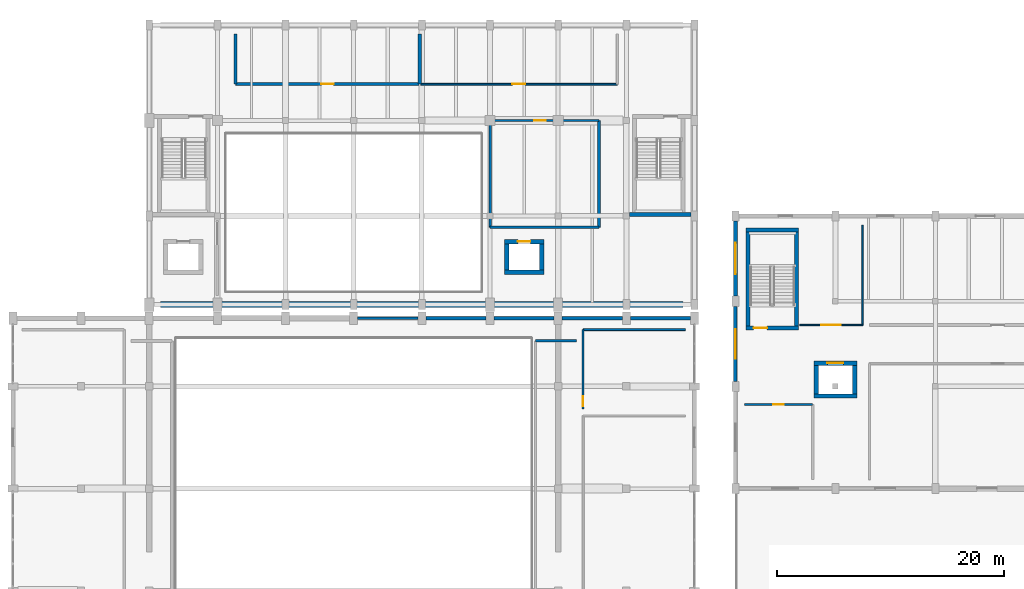
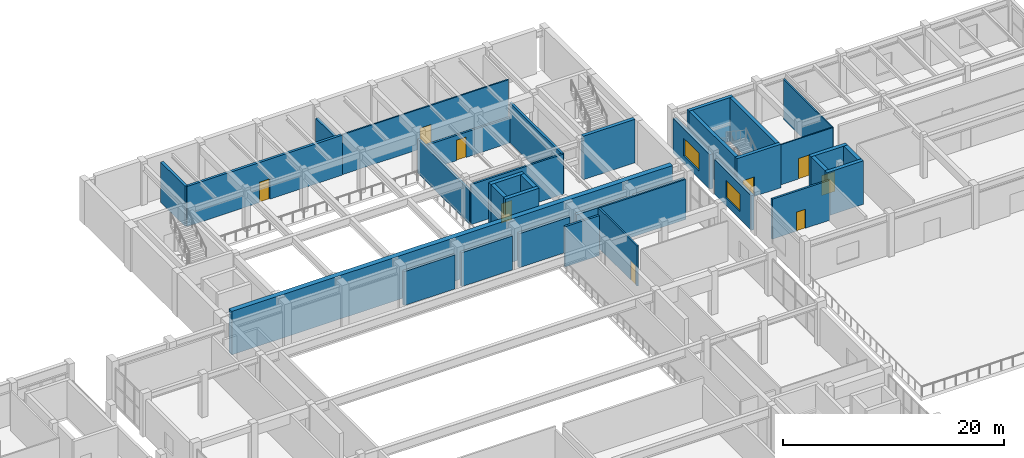
# One storey, part 44 of 62: 35 walls, 9 doors, 2 windows, 11 openings.
"""IFC4 building model written with IfcOpenShell, lengths in metres."""

from ifc_helpers import new_model, si_unit, direction, frame, frame_2d, origin, place, context, subcontext, project, spatial, rectangle, extrude, material, layer, layer_set, type_object, element, fill, save


model = new_model("IFC4")

# Units and contexts
model_context = context("Model", 3, precision=1e-05, world=origin(), true_north=direction((0.0, 1.0)))
body_context = subcontext(model_context, "Body", "Model", "MODEL_VIEW")
ifc_project = project(units=[si_unit("LENGTHUNIT", "METRE"), si_unit("AREAUNIT", "SQUARE_METRE"), si_unit("VOLUMEUNIT", "CUBIC_METRE"), si_unit("PLANEANGLEUNIT", "RADIAN"), si_unit("MASSUNIT", "GRAM", prefix="KILO")], contexts=[model_context])

# Site, building, storey
site_placement = place(None, origin())
site = spatial("IfcSite", under=ifc_project, at=site_placement, CompositionType="ELEMENT")
building_placement = place(site_placement, origin())
building = spatial("IfcBuilding", under=site, at=building_placement, Name="Vaelkrest Opera House", CompositionType="ELEMENT")
storey_placement = place(building_placement, frame((0.0, 0.0, 19.800048828125)))
storey = spatial("IfcBuildingStorey", under=building, at=storey_placement, Name="L04", CompositionType="ELEMENT", Elevation=19.800048828125)

# Walls
ifc_material_1 = material(Name="Douglas fir glulam GL28h", Category="wood")
ifc_layer_1 = layer(ifc_material_1, 0.2548828125)
ifc_layer_set_1 = layer_set([ifc_layer_1], Name="Douglas fir glulam GL28h")
wall_type_1 = type_object("IfcWallType", Name="EW01", PredefinedType="STANDARD", material=ifc_layer_set_1)
wall_1_placement = place(storey_placement, frame((0.347900390625, 16.199951171875, 0.0), z_axis=(0.0, 0.0, 1.0), x_axis=(1.0, 0.0, 0.0)))
element("IfcWall", 1, at=wall_1_placement, inside=storey, type_object=wall_type_1, Name="Exterior facade wall EW-V1-L04-0111", PredefinedType="STANDARD", context=body_context, shape_type="SweptSolid", body=[
    extrude(rectangle(XDim=5.30419921875, YDim=0.2548828125, at=frame_2d((2.652099609375, 0.0))), origin(), (0.0, 0.0, 1.0), 3.744873046875),
])
ifc_layer_2 = layer(ifc_material_1, 0.27490234375)
ifc_layer_set_2 = layer_set([ifc_layer_2], Name="Douglas fir glulam GL28h")
wall_type_2 = type_object("IfcWallType", Name="EW02", PredefinedType="STANDARD", material=ifc_layer_set_2)
wall_2_placement = place(storey_placement, frame((6.347900390625, 16.199951171875, 0.0), z_axis=(0.0, 0.0, 1.0), x_axis=(1.0, 0.0, 0.0)))
element("IfcWall", 2, at=wall_2_placement, inside=storey, type_object=wall_type_2, Name="Exterior facade wall EW-V1-L04-0112", PredefinedType="STANDARD", context=body_context, shape_type="SweptSolid", body=[
    extrude(rectangle(XDim=5.30419921875, YDim=0.27490234375, at=frame_2d((2.652099609375, 0.0))), origin(), (0.0, 0.0, 1.0), 3.744873046875),
])
ifc_layer_3 = layer(ifc_material_1, 0.294921875)
ifc_layer_set_3 = layer_set([ifc_layer_3], Name="Douglas fir glulam GL28h")
wall_type_3 = type_object("IfcWallType", Name="EW03", PredefinedType="STANDARD", material=ifc_layer_set_3)
wall_3_placement = place(storey_placement, frame((12.347900390625, 16.199951171875, 0.0), z_axis=(0.0, 0.0, 1.0), x_axis=(1.0, 0.0, 0.0)))
element("IfcWall", 3, at=wall_3_placement, inside=storey, type_object=wall_type_3, Name="Exterior facade wall EW-V1-L04-0113", PredefinedType="STANDARD", context=body_context, shape_type="SweptSolid", body=[
    extrude(rectangle(XDim=5.30419921875, YDim=0.294921875, at=frame_2d((2.652099609375, 0.0))), origin(), (0.0, 0.0, 1.0), 3.744873046875),
])
ifc_material_2 = material(Name="American black walnut acoustic timber", Category="wood")
ifc_layer_4 = layer(ifc_material_2, 0.31494140625)
ifc_layer_set_4 = layer_set([ifc_layer_4], Name="American black walnut acoustic timber")
wall_type_4 = type_object("IfcWallType", Name="EW04", PredefinedType="STANDARD", material=ifc_layer_set_4)
wall_4_placement = place(storey_placement, frame((18.347900390625, 16.199951171875, 0.0), z_axis=(0.0, 0.0, 1.0), x_axis=(1.0, 0.0, 0.0)))
element("IfcWall", 4, at=wall_4_placement, inside=storey, type_object=wall_type_4, Name="Exterior facade wall EW-V1-L04-0114", PredefinedType="STANDARD", context=body_context, shape_type="SweptSolid", body=[
    extrude(rectangle(XDim=5.30419921875, YDim=0.31494140625, at=frame_2d((2.652099609375, 0.0))), origin(), (0.0, 0.0, 1.0), 3.744873046875),
])

# Wall, opening, window
wall_5_placement = place(storey_placement, frame((33.60009765625, 10.64794921875, 0.0), z_axis=(0.0, 0.0, 1.0), x_axis=(0.0, 1.0, 0.0)))
wall_5 = element("IfcWall", 5, at=wall_5_placement, inside=storey, type_object=wall_type_4, Name="Exterior facade wall EW-V4-L04-0284", PredefinedType="STANDARD", context=body_context, shape_type="SweptSolid", body=[
    extrude(rectangle(XDim=6.60400390625, YDim=0.31494140625, at=frame_2d((3.302001953125, 0.0))), origin(), (0.0, 0.0, 1.0), 3.828857421875),
])
opening_1_placement = place(wall_5_placement, frame((2.001953125, 0.0, 0.85009765625)))
opening_1 = element("IfcOpeningElement", 6, at=opening_1_placement, cuts=wall_5, Name="Opening WN167", PredefinedType="OPENING", context=body_context, shape_type="SweptSolid", body=[
    extrude(rectangle(XDim=2.60009765625, YDim=1.949951171875, at=frame_2d((1.300048828125, 0.97509765625))), frame((0.0, 0.16748046875, 0.0), z_axis=(0.0, -1.0, 0.0), x_axis=(1.0, 0.0, 0.0)), (0.0, 0.0, 1.0), 0.3349609375),
])
ifc_material_3 = material(Name="Double low-E insulated glazing", Category="glass")
window_type_1 = type_object("IfcWindowType", Name="WT11", PartitioningType="SINGLE_PANEL", PredefinedType="WINDOW", material=ifc_material_3)
window_1_placement = place(opening_1_placement, origin())
window_1 = element("IfcWindow", 7, at=window_1_placement, inside=storey, type_object=window_type_1, Name="Facade window WN167", OverallHeight=1.949951171875, OverallWidth=2.60009765625, PartitioningType="SINGLE_PANEL", PredefinedType="WINDOW", context=body_context, shape_type="SweptSolid", body=[
    extrude(rectangle(XDim=2.60009765625, YDim=1.949951171875, at=frame_2d((1.300048828125, 0.97509765625))), frame((0.0, 0.030029296875, 0.0), z_axis=(0.0, -1.0, 0.0), x_axis=(1.0, 0.0, 0.0)), (0.0, 0.0, 1.0), 0.06005859375),
])
fill(opening_1, window_1)

# Wall
ifc_layer_5 = layer(ifc_material_2, 0.3349609375)
ifc_layer_set_5 = layer_set([ifc_layer_5], Name="American black walnut acoustic timber")
wall_type_5 = type_object("IfcWallType", Name="EW05", PredefinedType="STANDARD", material=ifc_layer_set_5)
wall_6_placement = place(storey_placement, frame((24.347900390625, 16.199951171875, 0.0), z_axis=(0.0, 0.0, 1.0), x_axis=(1.0, 0.0, 0.0)))
element("IfcWall", 8, at=wall_6_placement, inside=storey, type_object=wall_type_5, Name="Exterior facade wall EW-V1-L04-0115", PredefinedType="STANDARD", context=body_context, shape_type="SweptSolid", body=[
    extrude(rectangle(XDim=5.30419921875, YDim=0.3349609375, at=frame_2d((2.652099609375, 0.0))), origin(), (0.0, 0.0, 1.0), 3.744873046875),
])

# Wall, opening, window
wall_7_placement = place(storey_placement, frame((33.60009765625, 18.14794921875, 0.0), z_axis=(0.0, 0.0, 1.0), x_axis=(0.0, 1.0, 0.0)))
wall_7 = element("IfcWall", 9, at=wall_7_placement, inside=storey, type_object=wall_type_5, Name="Exterior facade wall EW-V4-L04-0285", PredefinedType="STANDARD", context=body_context, shape_type="SweptSolid", body=[
    extrude(rectangle(XDim=6.60400390625, YDim=0.3349609375, at=frame_2d((3.302001953125, 0.0))), origin(), (0.0, 0.0, 1.0), 3.828857421875),
])
opening_2_placement = place(wall_7_placement, frame((1.927001953125, 0.0, 0.85009765625)))
opening_2 = element("IfcOpeningElement", 10, at=opening_2_placement, cuts=wall_7, Name="Opening WN168", PredefinedType="OPENING", context=body_context, shape_type="SweptSolid", body=[
    extrude(rectangle(XDim=2.75, YDim=1.949951171875, at=frame_2d((1.375, 0.97509765625))), frame((0.0, 0.177490234375, 0.0), z_axis=(0.0, -1.0, 0.0), x_axis=(1.0, 0.0, 0.0)), (0.0, 0.0, 1.0), 0.35498046875),
])
window_type_2 = type_object("IfcWindowType", Name="WT12", PartitioningType="SINGLE_PANEL", PredefinedType="WINDOW", material=ifc_material_3)
window_2_placement = place(opening_2_placement, origin())
window_2 = element("IfcWindow", 11, at=window_2_placement, inside=storey, type_object=window_type_2, Name="Facade window WN168", OverallHeight=1.949951171875, OverallWidth=2.75, PartitioningType="SINGLE_PANEL", PredefinedType="WINDOW", context=body_context, shape_type="SweptSolid", body=[
    extrude(rectangle(XDim=2.75, YDim=1.949951171875, at=frame_2d((1.375, 0.97509765625))), frame((0.0, 0.030029296875, 0.0), z_axis=(0.0, -1.0, 0.0), x_axis=(1.0, 0.0, 0.0)), (0.0, 0.0, 1.0), 0.06005859375),
])
fill(opening_2, window_2)

# Wall, opening, door
ifc_material_4 = material(Name="Gypsum acoustic board", Category="gypsum")
ifc_layer_6 = layer(ifc_material_4, 0.1201171875)
ifc_layer_set_6 = layer_set([ifc_layer_6], Name="Gypsum acoustic board")
wall_type_6 = type_object("IfcWallType", Name="PT01", PredefinedType="PARTITIONING", material=ifc_layer_set_6)
wall_8_placement = place(storey_placement, frame((39.25, 15.60009765625, 0.0), z_axis=(0.0, 0.0, 1.0), x_axis=(1.0, 0.0, 0.0)))
wall_8 = element("IfcWall", 12, at=wall_8_placement, inside=storey, type_object=wall_type_6, Name="Interior partition PT-V4-L04-0393", PredefinedType="PARTITIONING", context=body_context, shape_type="SweptSolid", body=[
    extrude(rectangle(XDim=5.550048828125, YDim=0.1201171875, at=frame_2d((2.77490234375, 0.0))), origin(), (0.0, 0.0, 1.0), 4.419921875),
])
opening_3_placement = place(wall_8_placement, frame((1.925048828125, 0.0, 0.0)))
opening_3 = element("IfcOpeningElement", 13, at=opening_3_placement, cuts=wall_8, Name="Opening D162", PredefinedType="OPENING", context=body_context, shape_type="SweptSolid", body=[
    extrude(rectangle(XDim=1.699951171875, YDim=2.25, at=frame_2d((0.85009765625, 1.125))), frame((0.0, 0.070068359375, 0.0), z_axis=(0.0, -1.0, 0.0), x_axis=(1.0, 0.0, 0.0)), (0.0, 0.0, 1.0), 0.14013671875),
])
door_type_1 = type_object("IfcDoorType", Name="DT14", OperationType="DOUBLE_DOOR_SINGLE_SWING", PredefinedType="DOOR", material=ifc_material_2)
door_1_placement = place(opening_3_placement, origin())
door_1 = element("IfcDoor", 14, at=door_1_placement, inside=storey, type_object=door_type_1, Name="Interior door D162 (Costume Workshop)", OperationType="DOUBLE_DOOR_SINGLE_SWING", OverallHeight=2.25, OverallWidth=1.699951171875, PredefinedType="DOOR", context=body_context, shape_type="SweptSolid", body=[
    extrude(rectangle(XDim=1.699951171875, YDim=2.25, at=frame_2d((0.85009765625, 1.125))), frame((0.0, 0.02490234375, 0.0), z_axis=(0.0, -1.0, 0.0), x_axis=(1.0, 0.0, 0.0)), (0.0, 0.0, 1.0), 0.050048828125),
])
fill(opening_3, door_1)

# Walls
ifc_layer_7 = layer(ifc_material_4, 0.135009765625)
ifc_layer_set_7 = layer_set([ifc_layer_7], Name="Gypsum acoustic board")
wall_type_7 = type_object("IfcWallType", Name="PT02", PredefinedType="PARTITIONING", material=ifc_layer_set_7)
wall_9_placement = place(storey_placement, frame((44.800048828125, 15.60009765625, 0.0), z_axis=(0.0, 0.0, 1.0), x_axis=(0.0, 1.0, 0.0)))
element("IfcWall", 15, at=wall_9_placement, inside=storey, type_object=wall_type_7, Name="Interior partition PT-V4-L04-0394", PredefinedType="PARTITIONING", context=body_context, shape_type="SweptSolid", body=[
    extrude(rectangle(XDim=8.7998046875, YDim=0.135009765625, at=frame_2d((4.39990234375, 0.0))), origin(), (0.0, 0.0, 1.0), 4.419921875),
])
ifc_layer_8 = layer(ifc_material_4, 0.1650390625)
ifc_layer_set_8 = layer_set([ifc_layer_8], Name="Gypsum acoustic board")
wall_type_8 = type_object("IfcWallType", Name="PT04", PredefinedType="PARTITIONING", material=ifc_layer_set_8)
wall_10_placement = place(storey_placement, frame((20.199951171875, 15.199951171875, 0.0), z_axis=(0.0, 0.0, 1.0), x_axis=(1.0, 0.0, 0.0)))
element("IfcWall", 16, at=wall_10_placement, inside=storey, type_object=wall_type_8, Name="Interior partition PT-V1-L04-0116", PredefinedType="PARTITIONING", context=body_context, shape_type="SweptSolid", body=[
    extrude(rectangle(XDim=9.0, YDim=0.1650390625, at=frame_2d((4.5, 0.0))), origin(), (0.0, 0.0, 1.0), 4.419921875),
])

# Wall, opening, door
ifc_layer_9 = layer(ifc_material_4, 0.179931640625)
ifc_layer_set_9 = layer_set([ifc_layer_9], Name="Gypsum acoustic board")
wall_type_9 = type_object("IfcWallType", Name="PT05", PredefinedType="PARTITIONING", material=ifc_layer_set_9)
wall_11_placement = place(storey_placement, frame((20.199951171875, 8.199951171875, 0.0), z_axis=(0.0, 0.0, 1.0), x_axis=(0.0, 1.0, 0.0)))
wall_11 = element("IfcWall", 17, at=wall_11_placement, inside=storey, type_object=wall_type_9, Name="Interior partition PT-V1-L04-0117", PredefinedType="PARTITIONING", context=body_context, shape_type="SweptSolid", body=[
    extrude(rectangle(XDim=7.0, YDim=0.179931640625, at=frame_2d((3.5, 0.0))), origin(), (0.0, 0.0, 1.0), 4.419921875),
])
opening_4_placement = place(wall_11_placement, frame((0.25, 0.0, 0.0)))
opening_4 = element("IfcOpeningElement", 18, at=opening_4_placement, cuts=wall_11, Name="Opening D045", PredefinedType="OPENING", context=body_context, shape_type="SweptSolid", body=[
    extrude(rectangle(XDim=0.89990234375, YDim=2.10009765625, at=frame_2d((0.449951171875, 1.050048828125))), frame((0.0, 0.099853515625, 0.0), z_axis=(0.0, -1.0, 0.0), x_axis=(1.0, 0.0, 0.0)), (0.0, 0.0, 1.0), 0.199951171875),
])
door_type_2 = type_object("IfcDoorType", Name="DT01", OperationType="NOTDEFINED", PredefinedType="DOOR", material=ifc_material_2)
door_2_placement = place(opening_4_placement, origin())
door_2 = element("IfcDoor", 19, at=door_2_placement, inside=storey, type_object=door_type_2, Name="Interior door D045 (Accessible Washroom)", OperationType="SINGLE_SWING_RIGHT", OverallHeight=2.10009765625, OverallWidth=0.89990234375, PredefinedType="DOOR", context=body_context, shape_type="SweptSolid", body=[
    extrude(rectangle(XDim=0.89990234375, YDim=2.10009765625, at=frame_2d((0.449951171875, 1.050048828125))), frame((0.0, 0.02490234375, 0.0), z_axis=(0.0, -1.0, 0.0), x_axis=(1.0, 0.0, 0.0)), (0.0, 0.0, 1.0), 0.050048828125),
])
fill(opening_4, door_2)

# Wall
ifc_layer_10 = layer(ifc_material_4, 0.195068359375)
ifc_layer_set_10 = layer_set([ifc_layer_10], Name="Gypsum acoustic board")
wall_type_10 = type_object("IfcWallType", Name="PT06", PredefinedType="PARTITIONING", material=ifc_layer_set_10)
wall_12_placement = place(storey_placement, frame((12.0, 24.199951171875, 0.0), z_axis=(0.0, 0.0, 1.0), x_axis=(1.0, 0.0, 0.0)))
element("IfcWall", 20, at=wall_12_placement, inside=storey, type_object=wall_type_10, Name="Interior partition PT-V2-L04-0216", PredefinedType="PARTITIONING", context=body_context, shape_type="SweptSolid", body=[
    extrude(rectangle(XDim=9.60009765625, YDim=0.195068359375, at=frame_2d((4.800048828125, 0.0))), origin(), (0.0, 0.0, 1.0), 4.419921875),
])

# Wall, opening, door
wall_13_placement = place(storey_placement, frame((34.39990234375, 8.60009765625, 0.0), z_axis=(0.0, 0.0, 1.0), x_axis=(1.0, 0.0, 0.0)))
wall_13 = element("IfcWall", 21, at=wall_13_placement, inside=storey, type_object=wall_type_10, Name="Interior partition PT-V4-L04-0398", PredefinedType="PARTITIONING", context=body_context, shape_type="SweptSolid", body=[
    extrude(rectangle(XDim=6.0, YDim=0.195068359375, at=frame_2d((3.0, 0.0))), origin(), (0.0, 0.0, 1.0), 4.419921875),
])
opening_5_placement = place(wall_13_placement, frame((2.550048828125, 0.0, 0.0)))
opening_5 = element("IfcOpeningElement", 22, at=opening_5_placement, cuts=wall_13, Name="Opening D165", PredefinedType="OPENING", context=body_context, shape_type="SweptSolid", body=[
    extrude(rectangle(XDim=0.89990234375, YDim=2.10009765625, at=frame_2d((0.449951171875, 1.050048828125))), frame((0.0, 0.107421875, 0.0), z_axis=(0.0, -1.0, 0.0), x_axis=(1.0, 0.0, 0.0)), (0.0, 0.0, 1.0), 0.215087890625),
])
door_3_placement = place(opening_5_placement, origin())
door_3 = element("IfcDoor", 23, at=door_3_placement, inside=storey, type_object=door_type_2, Name="Interior door D165 (Accessible Washroom)", OperationType="SINGLE_SWING_LEFT", OverallHeight=2.10009765625, OverallWidth=0.89990234375, PredefinedType="DOOR", context=body_context, shape_type="SweptSolid", body=[
    extrude(rectangle(XDim=0.89990234375, YDim=2.10009765625, at=frame_2d((0.449951171875, 1.050048828125))), frame((0.0, 0.02490234375, 0.0), z_axis=(0.0, -1.0, 0.0), x_axis=(1.0, 0.0, 0.0)), (0.0, 0.0, 1.0), 0.050048828125),
])
fill(opening_5, door_3)

ifc_layer_11 = layer(ifc_material_2, 0.2099609375)
ifc_layer_set_11 = layer_set([ifc_layer_11], Name="American black walnut acoustic timber")
wall_type_11 = type_object("IfcWallType", Name="PT07", PredefinedType="PARTITIONING", material=ifc_layer_set_11)
wall_14_placement = place(storey_placement, frame((12.0, 33.60009765625, 0.0), z_axis=(0.0, 0.0, 1.0), x_axis=(1.0, 0.0, 0.0)))
wall_14 = element("IfcWall", 24, at=wall_14_placement, inside=storey, type_object=wall_type_11, Name="Interior partition PT-V2-L04-0217", PredefinedType="PARTITIONING", context=body_context, shape_type="SweptSolid", body=[
    extrude(rectangle(XDim=9.60009765625, YDim=0.2099609375, at=frame_2d((4.800048828125, 0.0))), origin(), (0.0, 0.0, 1.0), 2.7900390625),
])
opening_6_placement = place(wall_14_placement, frame((3.89990234375, 0.0, 0.0)))
opening_6 = element("IfcOpeningElement", 25, at=opening_6_placement, cuts=wall_14, Name="Opening D084", PredefinedType="OPENING", context=body_context, shape_type="SweptSolid", body=[
    extrude(rectangle(XDim=1.0, YDim=2.25, at=frame_2d((0.5, 1.125))), frame((0.0, 0.114990234375, 0.0), z_axis=(0.0, -1.0, 0.0), x_axis=(1.0, 0.0, 0.0)), (0.0, 0.0, 1.0), 0.22998046875),
])
door_type_3 = type_object("IfcDoorType", Name="DT10", OperationType="NOTDEFINED", PredefinedType="DOOR", material=ifc_material_2)
door_4_placement = place(opening_6_placement, origin())
door_4 = element("IfcDoor", 26, at=door_4_placement, inside=storey, type_object=door_type_3, Name="Interior door D084 (Lighting Bridge)", OperationType="SINGLE_SWING_RIGHT", OverallHeight=2.25, OverallWidth=1.0, PredefinedType="DOOR", context=body_context, shape_type="SweptSolid", body=[
    extrude(rectangle(XDim=1.0, YDim=2.25, at=frame_2d((0.5, 1.125))), frame((0.0, 0.02490234375, 0.0), z_axis=(0.0, -1.0, 0.0), x_axis=(1.0, 0.0, 0.0)), (0.0, 0.0, 1.0), 0.050048828125),
])
fill(opening_6, door_4)

# Walls
ifc_layer_12 = layer(ifc_material_2, 0.22509765625)
ifc_layer_set_12 = layer_set([ifc_layer_12], Name="American black walnut acoustic timber")
wall_type_12 = type_object("IfcWallType", Name="PT08", PredefinedType="PARTITIONING", material=ifc_layer_set_12)
wall_15_placement = place(storey_placement, frame((16.0, 14.199951171875, 0.0), z_axis=(0.0, 0.0, 1.0), x_axis=(1.0, 0.0, 0.0)))
element("IfcWall", 27, at=wall_15_placement, inside=storey, type_object=wall_type_12, Name="Interior partition PT-V1-L04-0122", PredefinedType="PARTITIONING", context=body_context, shape_type="SweptSolid", body=[
    extrude(rectangle(XDim=3.60009765625, YDim=0.22509765625, at=frame_2d((1.800048828125, 0.0))), origin(), (0.0, 0.0, 1.0), 4.419921875),
])
wall_16_placement = place(storey_placement, frame((12.0, 24.199951171875, 0.0), z_axis=(0.0, 0.0, 1.0), x_axis=(0.0, 1.0, 0.0)))
element("IfcWall", 28, at=wall_16_placement, inside=storey, type_object=wall_type_12, Name="Interior partition PT-V2-L04-0218", PredefinedType="PARTITIONING", context=body_context, shape_type="SweptSolid", body=[
    extrude(rectangle(XDim=9.400146484375, YDim=0.22509765625, at=frame_2d((4.7001953125, 0.0))), origin(), (0.0, 0.0, 1.0), 3.73388671875),
])
ifc_material_5 = material(Name="Concrete C40/50", Category="concrete")
ifc_layer_13 = layer(ifc_material_5, 0.239990234375)
ifc_layer_set_13 = layer_set([ifc_layer_13], Name="Concrete C40/50")
wall_type_13 = type_object("IfcWallType", Name="PT09", PredefinedType="PARTITIONING", material=ifc_layer_set_13)
wall_17_placement = place(storey_placement, frame((21.60009765625, 24.199951171875, 0.0), z_axis=(0.0, 0.0, 1.0), x_axis=(0.0, 1.0, 0.0)))
element("IfcWall", 29, at=wall_17_placement, inside=storey, type_object=wall_type_13, Name="Interior partition PT-V2-L04-0219", PredefinedType="PARTITIONING", context=body_context, shape_type="SweptSolid", body=[
    extrude(rectangle(XDim=9.400146484375, YDim=0.239990234375, at=frame_2d((4.7001953125, 0.0))), origin(), (0.0, 0.0, 1.0), 4.419921875),
])

# Wall, opening, door
ifc_layer_14 = layer(ifc_material_5, 0.260009765625)
ifc_layer_set_14 = layer_set([ifc_layer_14], Name="Concrete C40/50")
wall_type_14 = type_object("IfcWallType", Name="PT10", PredefinedType="PARTITIONING", material=ifc_layer_set_14)
wall_18_placement = place(storey_placement, frame((-10.39990234375, 36.800048828125, 0.0), z_axis=(0.0, 0.0, 1.0), x_axis=(1.0, 0.0, 0.0)))
wall_18 = element("IfcWall", 30, at=wall_18_placement, inside=storey, type_object=wall_type_14, Name="Interior partition PT-V2-L04-0220", PredefinedType="PARTITIONING", context=body_context, shape_type="SweptSolid", body=[
    extrude(rectangle(XDim=16.199951171875, YDim=0.260009765625, at=frame_2d((8.10009765625, 0.0))), origin(), (0.0, 0.0, 1.0), 4.419921875),
])
opening_7_placement = place(wall_18_placement, frame((7.56005859375, 0.0, 0.0)))
opening_7 = element("IfcOpeningElement", 31, at=opening_7_placement, cuts=wall_18, Name="Opening D085", PredefinedType="OPENING", context=body_context, shape_type="SweptSolid", body=[
    extrude(rectangle(XDim=1.080078125, YDim=2.25, at=frame_2d((0.5400390625, 1.125))), frame((0.0, 0.139892578125, 0.0), z_axis=(0.0, -1.0, 0.0), x_axis=(1.0, 0.0, 0.0)), (0.0, 0.0, 1.0), 0.280029296875),
])
door_type_4 = type_object("IfcDoorType", Name="DT11", OperationType="NOTDEFINED", PredefinedType="DOOR", material=ifc_material_2)
door_5_placement = place(opening_7_placement, origin())
door_5 = element("IfcDoor", 32, at=door_5_placement, inside=storey, type_object=door_type_4, Name="Interior door D085 (Broadcast Suite)", OperationType="SINGLE_SWING_LEFT", OverallHeight=2.25, OverallWidth=1.080078125, PredefinedType="DOOR", context=body_context, shape_type="SweptSolid", body=[
    extrude(rectangle(XDim=1.080078125, YDim=2.25, at=frame_2d((0.5400390625, 1.125))), frame((0.0, 0.02490234375, 0.0), z_axis=(0.0, -1.0, 0.0), x_axis=(1.0, 0.0, 0.0)), (0.0, 0.0, 1.0), 0.050048828125),
])
fill(opening_7, door_5)

# Walls
ifc_layer_15 = layer(ifc_material_5, 0.280029296875)
ifc_layer_set_15 = layer_set([ifc_layer_15], Name="Concrete C40/50")
wall_type_15 = type_object("IfcWallType", Name="PT11", PredefinedType="PARTITIONING", material=ifc_layer_set_15)
wall_19_placement = place(storey_placement, frame((-10.39990234375, 36.800048828125, 0.0), z_axis=(0.0, 0.0, 1.0), x_axis=(0.0, 1.0, 0.0)))
element("IfcWall", 33, at=wall_19_placement, inside=storey, type_object=wall_type_15, Name="Interior partition PT-V2-L04-0221", PredefinedType="PARTITIONING", context=body_context, shape_type="SweptSolid", body=[
    extrude(rectangle(XDim=4.39990234375, YDim=0.280029296875, at=frame_2d((2.199951171875, 0.0))), origin(), (0.0, 0.0, 1.0), 4.419921875),
])
ifc_layer_16 = layer(ifc_material_5, 0.304931640625)
ifc_layer_set_16 = layer_set([ifc_layer_16], Name="Concrete C40/50")
wall_type_16 = type_object("IfcWallType", Name="PT12", PredefinedType="PARTITIONING", material=ifc_layer_set_16)
wall_20_placement = place(storey_placement, frame((5.800048828125, 36.800048828125, 0.0), z_axis=(0.0, 0.0, 1.0), x_axis=(0.0, 1.0, 0.0)))
element("IfcWall", 34, at=wall_20_placement, inside=storey, type_object=wall_type_16, Name="Interior partition PT-V2-L04-0222", PredefinedType="PARTITIONING", context=body_context, shape_type="SweptSolid", body=[
    extrude(rectangle(XDim=4.39990234375, YDim=0.304931640625, at=frame_2d((2.199951171875, 0.0))), origin(), (0.0, 0.0, 1.0), 3.58984375),
])

# Wall, opening, door
ifc_layer_17 = layer(ifc_material_4, 0.14501953125)
ifc_layer_set_17 = layer_set([ifc_layer_17], Name="Gypsum acoustic board")
wall_type_17 = type_object("IfcWallType", Name="PT13", PredefinedType="PARTITIONING", material=ifc_layer_set_17)
wall_21_placement = place(storey_placement, frame((5.8798828125, 36.800048828125, 0.0), z_axis=(0.0, 0.0, 1.0), x_axis=(1.0, 0.0, 0.0)))
wall_21 = element("IfcWall", 35, at=wall_21_placement, inside=storey, type_object=wall_type_17, Name="Interior partition PT-V2-L04-0223", PredefinedType="PARTITIONING", context=body_context, shape_type="SweptSolid", body=[
    extrude(rectangle(XDim=17.320068359375, YDim=0.14501953125, at=frame_2d((8.66015625, 0.0))), origin(), (0.0, 0.0, 1.0), 4.419921875),
])
opening_8_placement = place(wall_21_placement, frame((8.0849609375, 0.0, 0.0)))
opening_8 = element("IfcOpeningElement", 36, at=opening_8_placement, cuts=wall_21, Name="Opening D086", PredefinedType="OPENING", context=body_context, shape_type="SweptSolid", body=[
    extrude(rectangle(XDim=1.14990234375, YDim=2.300048828125, at=frame_2d((0.574951171875, 1.14990234375))), frame((0.0, 0.08251953125, 0.0), z_axis=(0.0, -1.0, 0.0), x_axis=(1.0, 0.0, 0.0)), (0.0, 0.0, 1.0), 0.1650390625),
])
door_type_5 = type_object("IfcDoorType", Name="DT12", OperationType="NOTDEFINED", PredefinedType="DOOR", material=ifc_material_2)
door_6_placement = place(opening_8_placement, origin())
door_6 = element("IfcDoor", 37, at=door_6_placement, inside=storey, type_object=door_type_5, Name="Interior door D086 (Acoustic Plenum)", OperationType="SINGLE_SWING_RIGHT", OverallHeight=2.300048828125, OverallWidth=1.14990234375, PredefinedType="DOOR", context=body_context, shape_type="SweptSolid", body=[
    extrude(rectangle(XDim=1.14990234375, YDim=2.300048828125, at=frame_2d((0.574951171875, 1.14990234375))), frame((0.0, 0.02490234375, 0.0), z_axis=(0.0, -1.0, 0.0), x_axis=(1.0, 0.0, 0.0)), (0.0, 0.0, 1.0), 0.050048828125),
])
fill(opening_8, door_6)

# Wall
ifc_material_6 = material(Name="Concrete C50/60", Category="concrete")
ifc_layer_18 = layer(ifc_material_6, 0.35009765625)
ifc_layer_set_18 = layer_set([ifc_layer_18], Name="Concrete C50/60")
wall_type_18 = type_object("IfcWallType", Name="SW01", PredefinedType="SHEAR", material=ifc_layer_set_18)
wall_22_placement = place(storey_placement, frame((29.699951171875, 25.324951171875, 0.0), z_axis=(0.0, 0.0, 1.0), x_axis=(-1.0, 0.0, 0.0)))
element("IfcWall", 38, at=wall_22_placement, inside=storey, type_object=wall_type_18, Name="Stair core ST06 wall L04 S", PredefinedType="SHEAR", context=body_context, shape_type="SweptSolid", body=[
    extrude(rectangle(XDim=5.425048828125, YDim=0.35009765625, at=frame_2d((2.71240234375, 0.0))), origin(), (0.0, 0.0, 1.0), 4.800048828125),
])

# Wall, opening, door
wall_23_placement = place(storey_placement, frame((39.14990234375, 15.324951171875, 0.0), z_axis=(0.0, 0.0, 1.0), x_axis=(-1.0, 0.0, 0.0)))
wall_23 = element("IfcWall", 39, at=wall_23_placement, inside=storey, type_object=wall_type_18, Name="Stair core ST09 wall L04 S", PredefinedType="SHEAR", context=body_context, shape_type="SweptSolid", body=[
    extrude(rectangle(XDim=4.599853515625, YDim=0.35009765625, at=frame_2d((2.2998046875, 0.0))), origin(), (0.0, 0.0, 1.0), 4.800048828125),
])
opening_9_placement = place(wall_23_placement, frame((2.77001953125, 0.0, 0.0)))
opening_9 = element("IfcOpeningElement", 40, at=opening_9_placement, cuts=wall_23, Name="Opening SD-ST09-L04", PredefinedType="OPENING", context=body_context, shape_type="SweptSolid", body=[
    extrude(rectangle(XDim=1.179931640625, YDim=2.14990234375, at=frame_2d((0.58984375, 1.074951171875))), frame((0.0, 0.18505859375, 0.0), z_axis=(0.0, -1.0, 0.0), x_axis=(1.0, 0.0, 0.0)), (0.0, 0.0, 1.0), 0.3701171875),
])
door_type_6 = type_object("IfcDoorType", Name="DT07", OperationType="NOTDEFINED", PredefinedType="DOOR", material=ifc_material_2)
door_7_placement = place(opening_9_placement, origin())
door_7 = element("IfcDoor", 41, at=door_7_placement, inside=storey, type_object=door_type_6, Name="Protected stair door SD-ST09-L04", OperationType="SINGLE_SWING_LEFT", OverallHeight=2.14990234375, OverallWidth=1.179931640625, PredefinedType="DOOR", context=body_context, shape_type="SweptSolid", body=[
    extrude(rectangle(XDim=1.179931640625, YDim=2.14990234375, at=frame_2d((0.58984375, 1.074951171875))), frame((0.0, 0.02490234375, 0.0), z_axis=(0.0, -1.0, 0.0), x_axis=(1.0, 0.0, 0.0)), (0.0, 0.0, 1.0), 0.050048828125),
])
fill(opening_9, door_7)

# Walls
wall_24_placement = place(storey_placement, frame((34.72509765625, 15.5, 0.0), z_axis=(0.0, 0.0, 1.0), x_axis=(0.0, 1.0, 0.0)))
element("IfcWall", 42, at=wall_24_placement, inside=storey, type_object=wall_type_18, Name="Stair core ST09 wall L04 W", PredefinedType="SHEAR", context=body_context, shape_type="SweptSolid", body=[
    extrude(rectangle(XDim=8.300048828125, YDim=0.35009765625, at=frame_2d((4.14990234375, 0.0))), origin(), (0.0, 0.0, 1.0), 4.800048828125),
])
wall_25_placement = place(storey_placement, frame((34.550048828125, 23.97509765625, 0.0), z_axis=(0.0, 0.0, 1.0), x_axis=(1.0, 0.0, 0.0)))
element("IfcWall", 43, at=wall_25_placement, inside=storey, type_object=wall_type_18, Name="Stair core ST09 wall L04 N", PredefinedType="SHEAR", context=body_context, shape_type="SweptSolid", body=[
    extrude(rectangle(XDim=4.599853515625, YDim=0.35009765625, at=frame_2d((2.2998046875, 0.0))), origin(), (0.0, 0.0, 1.0), 4.800048828125),
])
wall_26_placement = place(storey_placement, frame((38.97509765625, 23.800048828125, 0.0), z_axis=(0.0, 0.0, 1.0), x_axis=(0.0, -1.0, 0.0)))
element("IfcWall", 44, at=wall_26_placement, inside=storey, type_object=wall_type_18, Name="Stair core ST09 wall L04 E", PredefinedType="SHEAR", context=body_context, shape_type="SweptSolid", body=[
    extrude(rectangle(XDim=8.300048828125, YDim=0.35009765625, at=frame_2d((4.14990234375, 0.0))), origin(), (0.0, 0.0, 1.0), 4.800048828125),
])
ifc_layer_19 = layer(ifc_material_6, 0.389892578125)
ifc_layer_set_19 = layer_set([ifc_layer_19], Name="Concrete C50/60")
wall_type_19 = type_object("IfcWallType", Name="SW02", PredefinedType="SHEAR", material=ifc_layer_set_19)
wall_27_placement = place(storey_placement, frame((16.739990234375, 20.2548828125, 0.0), z_axis=(0.0, 0.0, 1.0), x_axis=(-1.0, 0.0, 0.0)))
element("IfcWall", 45, at=wall_27_placement, inside=storey, type_object=wall_type_19, Name="Lift shaft LF02 wall L04 S", PredefinedType="SHEAR", context=body_context, shape_type="SweptSolid", body=[
    extrude(rectangle(XDim=3.47998046875, YDim=0.389892578125, at=frame_2d((1.739990234375, 0.0))), origin(), (0.0, 0.0, 1.0), 4.800048828125),
])

# Wall, opening, door
wall_28_placement = place(storey_placement, frame((13.260009765625, 22.945068359375, 0.0), z_axis=(0.0, 0.0, 1.0), x_axis=(1.0, 0.0, 0.0)))
wall_28 = element("IfcWall", 46, at=wall_28_placement, inside=storey, type_object=wall_type_19, Name="Lift shaft LF02 wall L04 N", PredefinedType="SHEAR", context=body_context, shape_type="SweptSolid", body=[
    extrude(rectangle(XDim=3.47998046875, YDim=0.389892578125, at=frame_2d((1.739990234375, 0.0))), origin(), (0.0, 0.0, 1.0), 4.800048828125),
])
opening_10_placement = place(wall_28_placement, frame((1.18994140625, 0.0, 0.0)))
opening_10 = element("IfcOpeningElement", 47, at=opening_10_placement, cuts=wall_28, Name="Opening LD-LF02-L04", PredefinedType="OPENING", context=body_context, shape_type="SweptSolid", body=[
    extrude(rectangle(XDim=1.10009765625, YDim=2.14990234375, at=frame_2d((0.550048828125, 1.074951171875))), frame((0.0, 0.204833984375, 0.0), z_axis=(0.0, -1.0, 0.0), x_axis=(1.0, 0.0, 0.0)), (0.0, 0.0, 1.0), 0.409912109375),
])
ifc_material_7 = material(Name="Dark bronze anodized aluminium", Category="aluminium")
door_type_7 = type_object("IfcDoorType", Name="LDT01", OperationType="SLIDING_TO_LEFT", PredefinedType="DOOR", material=ifc_material_7)
door_8_placement = place(opening_10_placement, origin())
door_8 = element("IfcDoor", 48, at=door_8_placement, inside=storey, type_object=door_type_7, Name="Lift landing sliding door LD-LF02-L04", OperationType="SLIDING_TO_LEFT", OverallHeight=2.14990234375, OverallWidth=1.10009765625, PredefinedType="DOOR", context=body_context, shape_type="SweptSolid", body=[
    extrude(rectangle(XDim=1.10009765625, YDim=2.14990234375, at=frame_2d((0.550048828125, 1.074951171875))), frame((0.0, 0.02490234375, 0.0), z_axis=(0.0, -1.0, 0.0), x_axis=(1.0, 0.0, 0.0)), (0.0, 0.0, 1.0), 0.050048828125),
])
fill(opening_10, door_8)

# Walls
for number, where, z_axis, x_axis, name in (
    (49, (13.455078125, 20.449951171875, 0.0), (0.0, 0.0, 1.0), (0.0, 1.0, 0.0), "Lift shaft LF02 wall L04 W"),
    (50, (16.544921875, 22.75, 0.0), (0.0, 0.0, 1.0), (0.0, -1.0, 0.0), "Lift shaft LF02 wall L04 E"),
):
    element("IfcWall", number, at=place(storey_placement, frame(where, z_axis=z_axis, x_axis=x_axis)), inside=storey, type_object=wall_type_19, Name=name, PredefinedType="SHEAR", context=body_context, shape_type="SweptSolid", body=[
        extrude(rectangle(XDim=2.300048828125, YDim=0.389892578125, at=frame_2d((1.14990234375, 0.0))), origin(), (0.0, 0.0, 1.0), 4.800048828125),
    ])
wall_29_placement = place(storey_placement, frame((44.2900390625, 9.35498046875, 0.0), z_axis=(0.0, 0.0, 1.0), x_axis=(-1.0, 0.0, 0.0)))
element("IfcWall", 51, at=wall_29_placement, inside=storey, type_object=wall_type_19, Name="Lift shaft LP06 wall L04 S", PredefinedType="SHEAR", context=body_context, shape_type="SweptSolid", body=[
    extrude(rectangle(XDim=3.780029296875, YDim=0.389892578125, at=frame_2d((1.89013671875, 0.0))), origin(), (0.0, 0.0, 1.0), 4.800048828125),
])

# Wall, opening, door
wall_30_placement = place(storey_placement, frame((40.510009765625, 12.2451171875, 0.0), z_axis=(0.0, 0.0, 1.0), x_axis=(1.0, 0.0, 0.0)))
wall_30 = element("IfcWall", 52, at=wall_30_placement, inside=storey, type_object=wall_type_19, Name="Lift shaft LP06 wall L04 N", PredefinedType="SHEAR", context=body_context, shape_type="SweptSolid", body=[
    extrude(rectangle(XDim=3.780029296875, YDim=0.389892578125, at=frame_2d((1.89013671875, 0.0))), origin(), (0.0, 0.0, 1.0), 4.800048828125),
])
opening_11_placement = place(wall_30_placement, frame((1.18994140625, 0.0, 0.0)))
opening_11 = element("IfcOpeningElement", 53, at=opening_11_placement, cuts=wall_30, Name="Opening LD-LP06-L04", PredefinedType="OPENING", context=body_context, shape_type="SweptSolid", body=[
    extrude(rectangle(XDim=1.39990234375, YDim=2.199951171875, at=frame_2d((0.699951171875, 1.10009765625))), frame((0.0, 0.204833984375, 0.0), z_axis=(0.0, -1.0, 0.0), x_axis=(1.0, 0.0, 0.0)), (0.0, 0.0, 1.0), 0.409912109375),
])
door_type_8 = type_object("IfcDoorType", Name="LDT02", OperationType="SLIDING_TO_LEFT", PredefinedType="DOOR", material=ifc_material_7)
door_9_placement = place(opening_11_placement, origin())
door_9 = element("IfcDoor", 54, at=door_9_placement, inside=storey, type_object=door_type_8, Name="Lift landing sliding door LD-LP06-L04", OperationType="SLIDING_TO_LEFT", OverallHeight=2.199951171875, OverallWidth=1.39990234375, PredefinedType="DOOR", context=body_context, shape_type="SweptSolid", body=[
    extrude(rectangle(XDim=1.39990234375, YDim=2.199951171875, at=frame_2d((0.699951171875, 1.10009765625))), frame((0.0, 0.02490234375, 0.0), z_axis=(0.0, -1.0, 0.0), x_axis=(1.0, 0.0, 0.0)), (0.0, 0.0, 1.0), 0.050048828125),
])
fill(opening_11, door_9)

# Walls
for number, where, z_axis, x_axis, name in (
    (55, (40.705078125, 9.550048828125, 0.0), (0.0, 0.0, 1.0), (0.0, 1.0, 0.0), "Lift shaft LP06 wall L04 W"),
    (56, (44.094970703125, 12.050048828125, 0.0), (0.0, 0.0, 1.0), (0.0, -1.0, 0.0), "Lift shaft LP06 wall L04 E"),
):
    element("IfcWall", number, at=place(storey_placement, frame(where, z_axis=z_axis, x_axis=x_axis)), inside=storey, type_object=wall_type_19, Name=name, PredefinedType="SHEAR", context=body_context, shape_type="SweptSolid", body=[
        extrude(rectangle(XDim=2.5, YDim=0.389892578125, at=frame_2d((1.25, 0.0))), origin(), (0.0, 0.0, 1.0), 4.800048828125),
    ])
ifc_layer_20 = layer(ifc_material_6, 0.52001953125)
ifc_layer_set_20 = layer_set([ifc_layer_20], Name="Concrete C50/60")
wall_type_20 = type_object("IfcWallType", Name="SW04", PredefinedType="SHEAR", material=ifc_layer_set_20)
wall_31_placement = place(storey_placement, frame((-17.0, 17.39990234375, 0.0), z_axis=(0.0, 0.0, 1.0), x_axis=(1.0, 0.0, 0.0)))
element("IfcWall", 57, at=wall_31_placement, inside=storey, type_object=wall_type_20, Name="Proscenium shear wall L04", PredefinedType="SHEAR", context=body_context, shape_type="SweptSolid", body=[
    extrude(rectangle(XDim=46.0, YDim=0.52001953125, at=frame_2d((23.0, 0.0))), origin(), (0.0, 0.0, 1.0), 4.800048828125),
])

save(model, "model.ifc")
